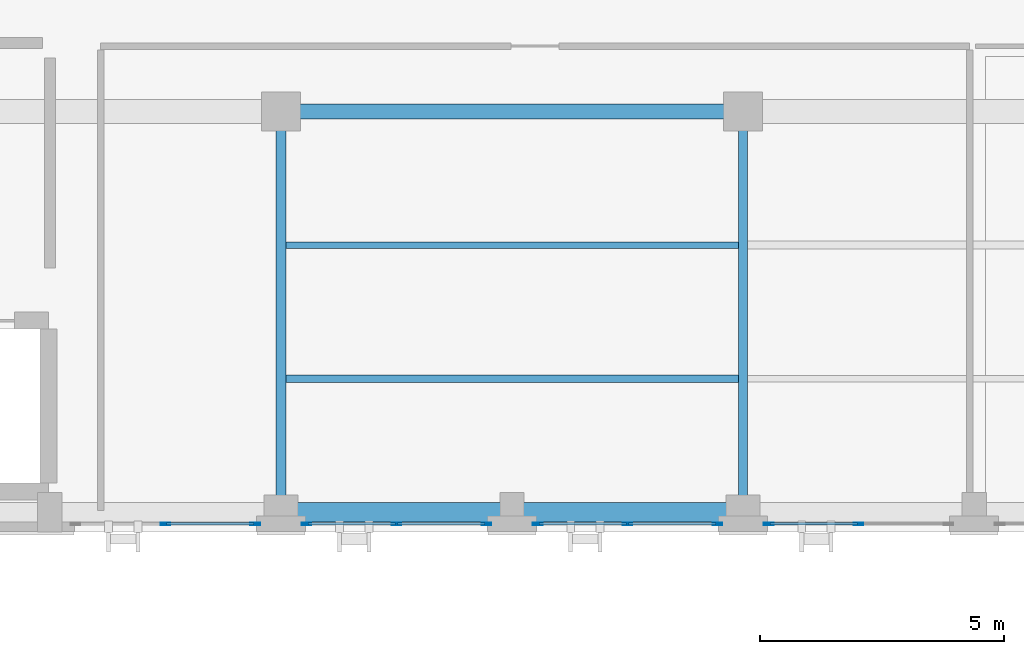
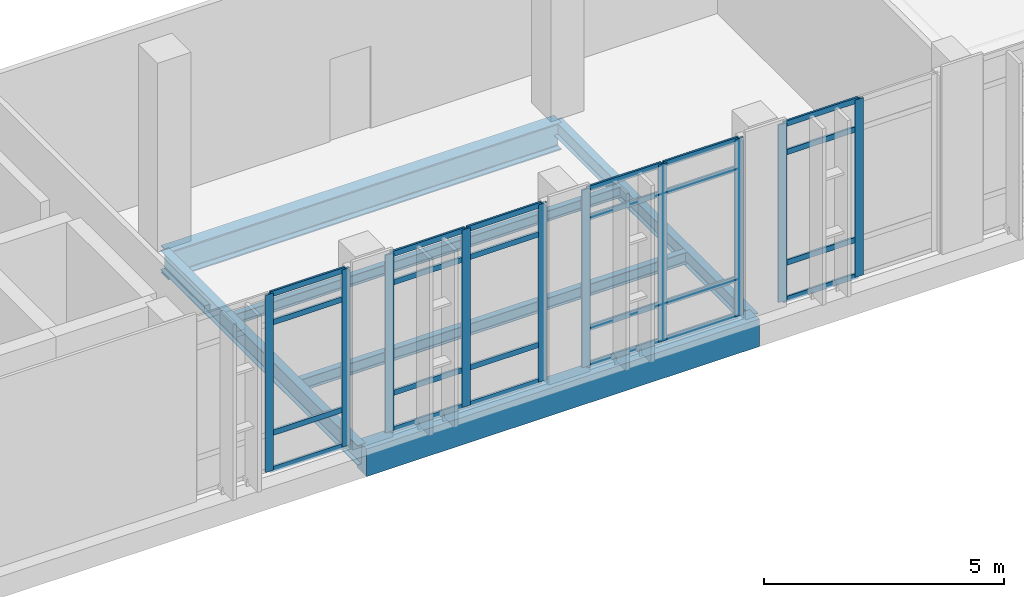
# One storey, part 12 of 189: 34 members, 6 beams, 4 elements without a shape of their own.
"""IFC4 building model written with IfcOpenShell, lengths in metres."""

from ifc_helpers import new_model, si_unit, direction, frame, origin, origin_2d, place, context, subcontext, project, spatial, rectangle, hollow_rectangle, i_section, extrude, material, layer, layer_set, material_profile, profile_set, type_object, element, aggregate, save


model = new_model("IFC4")

# Units and contexts
model_context = context("Model", 3, precision=1e-05, world=origin(), true_north=direction((0.0, 1.0)))
body_context = subcontext(model_context, "Body", "Model", "MODEL_VIEW")
ifc_project = project(units=[si_unit("LENGTHUNIT", "METRE"), si_unit("AREAUNIT", "SQUARE_METRE"), si_unit("VOLUMEUNIT", "CUBIC_METRE"), si_unit("PLANEANGLEUNIT", "RADIAN"), si_unit("MASSUNIT", "GRAM", prefix="KILO")], contexts=[model_context])

# Site, building, storey
site_placement = place(None, origin())
site = spatial("IfcSite", under=ifc_project, at=site_placement, CompositionType="ELEMENT")
building_placement = place(site_placement, origin())
building = spatial("IfcBuilding", under=site, at=building_placement, Name="Qalavern Law Courts", CompositionType="ELEMENT")
storey_placement = place(building_placement, frame((0.0, 0.0, 5.39990234375)))
storey = spatial("IfcBuildingStorey", under=building, at=storey_placement, Name="L01", CompositionType="ELEMENT", Elevation=5.39990234375)

# Curtain wall, members
ifc_material_1 = material(Name="Anodised aluminium and insulated glazing", Category="aluminium")
ifc_layer = layer(ifc_material_1, 0.18505859375)
ifc_layer_set = layer_set([ifc_layer], Name="Anodised aluminium and insulated glazing")
curtain_wall_type = type_object("IfcCurtainWallType", Name="ENV-CW-HALL", PredefinedType="USERDEFINED", material=ifc_layer_set)
curtain_wall_1_placement = place(storey_placement, origin())
curtain_wall_1 = element("IfcCurtainWall", 1, at=curtain_wall_1_placement, inside=storey, type_object=curtain_wall_type, Name="V2 unitised curtain wall L01 south 1", ObjectType="UNITISED CURTAIN WALL", PredefinedType="USERDEFINED")
ifc_material_2 = material(Name="Anodised aluminium", Category="aluminium")
ifc_material_profile_1 = material_profile(ifc_material_2, hollow_rectangle(XDim=0.048095703125, YDim=0.199951171875, WallThickness=0.00439453125, at=origin_2d()), Name="ALU MULLION 48x200")
ifc_profile_set_1 = profile_set([ifc_material_profile_1], Name="Anodised aluminium")
member_type_1 = type_object("IfcMemberType", Name="ENV-CWM-48x200", PredefinedType="MULLION", material=ifc_profile_set_1)
member_1_placement = place(storey_placement, frame((51.164794921875, 5.362548828125, 0.0), z_axis=(0.0, 0.0, 1.0), x_axis=(0.0, 1.0, 0.0)))
member_1 = element("IfcMember", 2, at=member_1_placement, type_object=member_type_1, Name="CW-02 mullion 2", PredefinedType="MULLION", context=body_context, shape_type="SweptSolid", body=[
    extrude(hollow_rectangle(XDim=0.048095703125, YDim=0.199951171875, WallThickness=0.00439453125, at=origin_2d()), origin(), (0.0, 0.0, 1.0), 4.510009765625),
])
member_2_placement = place(storey_placement, frame((53.004638671875, 5.362548828125, 0.0), z_axis=(0.0, 0.0, 1.0), x_axis=(0.0, 1.0, 0.0)))
member_2 = element("IfcMember", 3, at=member_2_placement, type_object=member_type_1, Name="CW-02 mullion 3", PredefinedType="MULLION", context=body_context, shape_type="SweptSolid", body=[
    extrude(hollow_rectangle(XDim=0.048095703125, YDim=0.199951171875, WallThickness=0.00439453125, at=origin_2d()), origin(), (0.0, 0.0, 1.0), 4.510009765625),
])

curtain_wall_2_placement = place(storey_placement, origin())
curtain_wall_2 = element("IfcCurtainWall", 4, at=curtain_wall_2_placement, inside=storey, type_object=curtain_wall_type, Name="V2 unitised curtain wall L01 south 2", ObjectType="UNITISED CURTAIN WALL", PredefinedType="USERDEFINED")
member_3_placement = place(storey_placement, frame((54.052490234375, 5.362548828125, 0.0), z_axis=(0.0, 0.0, 1.0), x_axis=(0.0, 1.0, 0.0)))
member_3 = element("IfcMember", 5, at=member_3_placement, type_object=member_type_1, Name="CW-02 mullion 1", PredefinedType="MULLION", context=body_context, shape_type="SweptSolid", body=[
    extrude(hollow_rectangle(XDim=0.048095703125, YDim=0.199951171875, WallThickness=0.00439453125, at=origin_2d()), origin(), (0.0, 0.0, 1.0), 4.510009765625),
])
member_4_placement = place(storey_placement, frame((55.892333984375, 5.362548828125, 0.0), z_axis=(0.0, 0.0, 1.0), x_axis=(0.0, 1.0, 0.0)))
member_4 = element("IfcMember", 6, at=member_4_placement, type_object=member_type_1, Name="CW-02 mullion 2", PredefinedType="MULLION", context=body_context, shape_type="SweptSolid", body=[
    extrude(hollow_rectangle(XDim=0.048095703125, YDim=0.199951171875, WallThickness=0.00439453125, at=origin_2d()), origin(), (0.0, 0.0, 1.0), 4.510009765625),
])
member_5_placement = place(storey_placement, frame((57.73193359375, 5.362548828125, 0.0), z_axis=(0.0, 0.0, 1.0), x_axis=(0.0, 1.0, 0.0)))
member_5 = element("IfcMember", 7, at=member_5_placement, type_object=member_type_1, Name="CW-02 mullion 3", PredefinedType="MULLION", context=body_context, shape_type="SweptSolid", body=[
    extrude(hollow_rectangle(XDim=0.048095703125, YDim=0.199951171875, WallThickness=0.00439453125, at=origin_2d()), origin(), (0.0, 0.0, 1.0), 4.510009765625),
])

curtain_wall_3_placement = place(storey_placement, origin())
curtain_wall_3 = element("IfcCurtainWall", 8, at=curtain_wall_3_placement, inside=storey, type_object=curtain_wall_type, Name="V2 unitised curtain wall L01 south 3", ObjectType="UNITISED CURTAIN WALL", PredefinedType="USERDEFINED")
member_6_placement = place(storey_placement, frame((58.780029296875, 5.362548828125, 0.0), z_axis=(0.0, 0.0, 1.0), x_axis=(0.0, 1.0, 0.0)))
member_6 = element("IfcMember", 9, at=member_6_placement, type_object=member_type_1, Name="CW-02 mullion 1", PredefinedType="MULLION", context=body_context, shape_type="SweptSolid", body=[
    extrude(hollow_rectangle(XDim=0.048095703125, YDim=0.199951171875, WallThickness=0.00439453125, at=origin_2d()), origin(), (0.0, 0.0, 1.0), 4.510009765625),
])
member_7_placement = place(storey_placement, frame((60.619384765625, 5.362548828125, 0.0), z_axis=(0.0, 0.0, 1.0), x_axis=(0.0, 1.0, 0.0)))
member_7 = element("IfcMember", 10, at=member_7_placement, type_object=member_type_1, Name="CW-02 mullion 2", PredefinedType="MULLION", context=body_context, shape_type="SweptSolid", body=[
    extrude(hollow_rectangle(XDim=0.048095703125, YDim=0.199951171875, WallThickness=0.00439453125, at=origin_2d()), origin(), (0.0, 0.0, 1.0), 4.510009765625),
])
member_8_placement = place(storey_placement, frame((62.458984375, 5.362548828125, 0.0), z_axis=(0.0, 0.0, 1.0), x_axis=(0.0, 1.0, 0.0)))
member_8 = element("IfcMember", 11, at=member_8_placement, type_object=member_type_1, Name="CW-02 mullion 3", PredefinedType="MULLION", context=body_context, shape_type="SweptSolid", body=[
    extrude(hollow_rectangle(XDim=0.048095703125, YDim=0.199951171875, WallThickness=0.00439453125, at=origin_2d()), origin(), (0.0, 0.0, 1.0), 4.510009765625),
])

curtain_wall_4_placement = place(storey_placement, origin())
curtain_wall_4 = element("IfcCurtainWall", 12, at=curtain_wall_4_placement, inside=storey, type_object=curtain_wall_type, Name="V2 unitised curtain wall L01 south 4", ObjectType="UNITISED CURTAIN WALL", PredefinedType="USERDEFINED")
member_9_placement = place(storey_placement, frame((63.5068359375, 5.362548828125, 0.0), z_axis=(0.0, 0.0, 1.0), x_axis=(0.0, 1.0, 0.0)))
member_9 = element("IfcMember", 13, at=member_9_placement, type_object=member_type_1, Name="CW-02 mullion 1", PredefinedType="MULLION", context=body_context, shape_type="SweptSolid", body=[
    extrude(hollow_rectangle(XDim=0.048095703125, YDim=0.199951171875, WallThickness=0.00439453125, at=origin_2d()), origin(), (0.0, 0.0, 1.0), 4.510009765625),
])
member_10_placement = place(storey_placement, frame((65.346435546875, 5.362548828125, 0.0), z_axis=(0.0, 0.0, 1.0), x_axis=(0.0, 1.0, 0.0)))
member_10 = element("IfcMember", 14, at=member_10_placement, type_object=member_type_1, Name="CW-02 mullion 2", PredefinedType="MULLION", context=body_context, shape_type="SweptSolid", body=[
    extrude(hollow_rectangle(XDim=0.048095703125, YDim=0.199951171875, WallThickness=0.00439453125, at=origin_2d()), origin(), (0.0, 0.0, 1.0), 4.510009765625),
])

# Member
ifc_material_profile_2 = material_profile(ifc_material_2, hollow_rectangle(XDim=0.048095703125, YDim=0.139892578125, WallThickness=0.00390625, at=origin_2d()), Name="ALU TRANSOM 48x140")
ifc_profile_set_2 = profile_set([ifc_material_profile_2], Name="Anodised aluminium")
member_type_2 = type_object("IfcMemberType", Name="ENV-CWT-48x140", PredefinedType="USERDEFINED", material=ifc_profile_set_2)
member_11_placement = place(storey_placement, frame((51.188720703125, 5.362548828125, 0.024169921875), z_axis=(1.0, 0.0, 0.0), x_axis=(0.0, 1.0, 0.0)))
member_11 = element("IfcMember", 15, at=member_11_placement, type_object=member_type_2, Name="CW-02 transom 2.1", ObjectType="TRANSOM", PredefinedType="USERDEFINED", context=body_context, shape_type="SweptSolid", body=[
    extrude(hollow_rectangle(XDim=0.048095703125, YDim=0.139892578125, WallThickness=0.00390625, at=origin_2d()), origin(), (0.0, 0.0, 1.0), 1.7919921875),
])

member_12_placement = place(storey_placement, frame((51.188720703125, 5.362548828125, 0.9501953125), z_axis=(1.0, 0.0, 0.0), x_axis=(0.0, 1.0, 0.0)))
member_12 = element("IfcMember", 16, at=member_12_placement, type_object=member_type_2, Name="CW-02 transom 2.2", ObjectType="TRANSOM", PredefinedType="USERDEFINED", context=body_context, shape_type="SweptSolid", body=[
    extrude(hollow_rectangle(XDim=0.048095703125, YDim=0.139892578125, WallThickness=0.00390625, at=origin_2d()), origin(), (0.0, 0.0, 1.0), 1.7919921875),
])

member_13_placement = place(storey_placement, frame((51.188720703125, 5.362548828125, 3.760009765625), z_axis=(1.0, 0.0, 0.0), x_axis=(0.0, 1.0, 0.0)))
member_13 = element("IfcMember", 17, at=member_13_placement, type_object=member_type_2, Name="CW-02 transom 2.3", ObjectType="TRANSOM", PredefinedType="USERDEFINED", context=body_context, shape_type="SweptSolid", body=[
    extrude(hollow_rectangle(XDim=0.048095703125, YDim=0.139892578125, WallThickness=0.00390625, at=origin_2d()), origin(), (0.0, 0.0, 1.0), 1.7919921875),
])

member_14_placement = place(storey_placement, frame((51.188720703125, 5.362548828125, 4.486083984375), z_axis=(1.0, 0.0, 0.0), x_axis=(0.0, 1.0, 0.0)))
member_14 = element("IfcMember", 18, at=member_14_placement, type_object=member_type_2, Name="CW-02 transom 2.4", ObjectType="TRANSOM", PredefinedType="USERDEFINED", context=body_context, shape_type="SweptSolid", body=[
    extrude(hollow_rectangle(XDim=0.048095703125, YDim=0.139892578125, WallThickness=0.00390625, at=origin_2d()), origin(), (0.0, 0.0, 1.0), 1.7919921875),
])

aggregate(curtain_wall_1, [member_1, member_2, member_11, member_12, member_13, member_14])

member_15_placement = place(storey_placement, frame((54.07666015625, 5.362548828125, 0.024169921875), z_axis=(1.0, 0.0, 0.0), x_axis=(0.0, 1.0, 0.0)))
member_15 = element("IfcMember", 19, at=member_15_placement, type_object=member_type_2, Name="CW-02 transom 1.1", ObjectType="TRANSOM", PredefinedType="USERDEFINED", context=body_context, shape_type="SweptSolid", body=[
    extrude(hollow_rectangle(XDim=0.048095703125, YDim=0.139892578125, WallThickness=0.00390625, at=origin_2d()), origin(), (0.0, 0.0, 1.0), 1.791748046875),
])

member_16_placement = place(storey_placement, frame((54.07666015625, 5.362548828125, 0.9501953125), z_axis=(1.0, 0.0, 0.0), x_axis=(0.0, 1.0, 0.0)))
member_16 = element("IfcMember", 20, at=member_16_placement, type_object=member_type_2, Name="CW-02 transom 1.2", ObjectType="TRANSOM", PredefinedType="USERDEFINED", context=body_context, shape_type="SweptSolid", body=[
    extrude(hollow_rectangle(XDim=0.048095703125, YDim=0.139892578125, WallThickness=0.00390625, at=origin_2d()), origin(), (0.0, 0.0, 1.0), 1.791748046875),
])

member_17_placement = place(storey_placement, frame((54.07666015625, 5.362548828125, 3.760009765625), z_axis=(1.0, 0.0, 0.0), x_axis=(0.0, 1.0, 0.0)))
member_17 = element("IfcMember", 21, at=member_17_placement, type_object=member_type_2, Name="CW-02 transom 1.3", ObjectType="TRANSOM", PredefinedType="USERDEFINED", context=body_context, shape_type="SweptSolid", body=[
    extrude(hollow_rectangle(XDim=0.048095703125, YDim=0.139892578125, WallThickness=0.00390625, at=origin_2d()), origin(), (0.0, 0.0, 1.0), 1.791748046875),
])

member_18_placement = place(storey_placement, frame((54.07666015625, 5.362548828125, 4.486083984375), z_axis=(1.0, 0.0, 0.0), x_axis=(0.0, 1.0, 0.0)))
member_18 = element("IfcMember", 22, at=member_18_placement, type_object=member_type_2, Name="CW-02 transom 1.4", ObjectType="TRANSOM", PredefinedType="USERDEFINED", context=body_context, shape_type="SweptSolid", body=[
    extrude(hollow_rectangle(XDim=0.048095703125, YDim=0.139892578125, WallThickness=0.00390625, at=origin_2d()), origin(), (0.0, 0.0, 1.0), 1.791748046875),
])

member_19_placement = place(storey_placement, frame((55.916259765625, 5.362548828125, 0.024169921875), z_axis=(1.0, 0.0, 0.0), x_axis=(0.0, 1.0, 0.0)))
member_19 = element("IfcMember", 23, at=member_19_placement, type_object=member_type_2, Name="CW-02 transom 2.1", ObjectType="TRANSOM", PredefinedType="USERDEFINED", context=body_context, shape_type="SweptSolid", body=[
    extrude(hollow_rectangle(XDim=0.048095703125, YDim=0.139892578125, WallThickness=0.00390625, at=origin_2d()), origin(), (0.0, 0.0, 1.0), 1.791748046875),
])

member_20_placement = place(storey_placement, frame((55.916259765625, 5.362548828125, 0.9501953125), z_axis=(1.0, 0.0, 0.0), x_axis=(0.0, 1.0, 0.0)))
member_20 = element("IfcMember", 24, at=member_20_placement, type_object=member_type_2, Name="CW-02 transom 2.2", ObjectType="TRANSOM", PredefinedType="USERDEFINED", context=body_context, shape_type="SweptSolid", body=[
    extrude(hollow_rectangle(XDim=0.048095703125, YDim=0.139892578125, WallThickness=0.00390625, at=origin_2d()), origin(), (0.0, 0.0, 1.0), 1.791748046875),
])

member_21_placement = place(storey_placement, frame((55.916259765625, 5.362548828125, 3.760009765625), z_axis=(1.0, 0.0, 0.0), x_axis=(0.0, 1.0, 0.0)))
member_21 = element("IfcMember", 25, at=member_21_placement, type_object=member_type_2, Name="CW-02 transom 2.3", ObjectType="TRANSOM", PredefinedType="USERDEFINED", context=body_context, shape_type="SweptSolid", body=[
    extrude(hollow_rectangle(XDim=0.048095703125, YDim=0.139892578125, WallThickness=0.00390625, at=origin_2d()), origin(), (0.0, 0.0, 1.0), 1.791748046875),
])

member_22_placement = place(storey_placement, frame((55.916259765625, 5.362548828125, 4.486083984375), z_axis=(1.0, 0.0, 0.0), x_axis=(0.0, 1.0, 0.0)))
member_22 = element("IfcMember", 26, at=member_22_placement, type_object=member_type_2, Name="CW-02 transom 2.4", ObjectType="TRANSOM", PredefinedType="USERDEFINED", context=body_context, shape_type="SweptSolid", body=[
    extrude(hollow_rectangle(XDim=0.048095703125, YDim=0.139892578125, WallThickness=0.00390625, at=origin_2d()), origin(), (0.0, 0.0, 1.0), 1.791748046875),
])

aggregate(curtain_wall_2, [member_3, member_4, member_5, member_15, member_16, member_17, member_18, member_19, member_20, member_21, member_22])

member_23_placement = place(storey_placement, frame((58.803955078125, 5.362548828125, 0.024169921875), z_axis=(1.0, 0.0, 0.0), x_axis=(0.0, 1.0, 0.0)))
member_23 = element("IfcMember", 27, at=member_23_placement, type_object=member_type_2, Name="CW-02 transom 1.1", ObjectType="TRANSOM", PredefinedType="USERDEFINED", context=body_context, shape_type="SweptSolid", body=[
    extrude(hollow_rectangle(XDim=0.048095703125, YDim=0.139892578125, WallThickness=0.00390625, at=origin_2d()), origin(), (0.0, 0.0, 1.0), 1.79150390625),
])

member_24_placement = place(storey_placement, frame((58.803955078125, 5.362548828125, 0.9501953125), z_axis=(1.0, 0.0, 0.0), x_axis=(0.0, 1.0, 0.0)))
member_24 = element("IfcMember", 28, at=member_24_placement, type_object=member_type_2, Name="CW-02 transom 1.2", ObjectType="TRANSOM", PredefinedType="USERDEFINED", context=body_context, shape_type="SweptSolid", body=[
    extrude(hollow_rectangle(XDim=0.048095703125, YDim=0.139892578125, WallThickness=0.00390625, at=origin_2d()), origin(), (0.0, 0.0, 1.0), 1.79150390625),
])

member_25_placement = place(storey_placement, frame((58.803955078125, 5.362548828125, 3.760009765625), z_axis=(1.0, 0.0, 0.0), x_axis=(0.0, 1.0, 0.0)))
member_25 = element("IfcMember", 29, at=member_25_placement, type_object=member_type_2, Name="CW-02 transom 1.3", ObjectType="TRANSOM", PredefinedType="USERDEFINED", context=body_context, shape_type="SweptSolid", body=[
    extrude(hollow_rectangle(XDim=0.048095703125, YDim=0.139892578125, WallThickness=0.00390625, at=origin_2d()), origin(), (0.0, 0.0, 1.0), 1.79150390625),
])

member_26_placement = place(storey_placement, frame((58.803955078125, 5.362548828125, 4.486083984375), z_axis=(1.0, 0.0, 0.0), x_axis=(0.0, 1.0, 0.0)))
member_26 = element("IfcMember", 30, at=member_26_placement, type_object=member_type_2, Name="CW-02 transom 1.4", ObjectType="TRANSOM", PredefinedType="USERDEFINED", context=body_context, shape_type="SweptSolid", body=[
    extrude(hollow_rectangle(XDim=0.048095703125, YDim=0.139892578125, WallThickness=0.00390625, at=origin_2d()), origin(), (0.0, 0.0, 1.0), 1.79150390625),
])

member_27_placement = place(storey_placement, frame((60.6435546875, 5.362548828125, 0.024169921875), z_axis=(1.0, 0.0, 0.0), x_axis=(0.0, 1.0, 0.0)))
member_27 = element("IfcMember", 31, at=member_27_placement, type_object=member_type_2, Name="CW-02 transom 2.1", ObjectType="TRANSOM", PredefinedType="USERDEFINED", context=body_context, shape_type="SweptSolid", body=[
    extrude(hollow_rectangle(XDim=0.048095703125, YDim=0.139892578125, WallThickness=0.00390625, at=origin_2d()), origin(), (0.0, 0.0, 1.0), 1.791259765625),
])

member_28_placement = place(storey_placement, frame((60.6435546875, 5.362548828125, 0.9501953125), z_axis=(1.0, 0.0, 0.0), x_axis=(0.0, 1.0, 0.0)))
member_28 = element("IfcMember", 32, at=member_28_placement, type_object=member_type_2, Name="CW-02 transom 2.2", ObjectType="TRANSOM", PredefinedType="USERDEFINED", context=body_context, shape_type="SweptSolid", body=[
    extrude(hollow_rectangle(XDim=0.048095703125, YDim=0.139892578125, WallThickness=0.00390625, at=origin_2d()), origin(), (0.0, 0.0, 1.0), 1.791259765625),
])

member_29_placement = place(storey_placement, frame((60.6435546875, 5.362548828125, 3.760009765625), z_axis=(1.0, 0.0, 0.0), x_axis=(0.0, 1.0, 0.0)))
member_29 = element("IfcMember", 33, at=member_29_placement, type_object=member_type_2, Name="CW-02 transom 2.3", ObjectType="TRANSOM", PredefinedType="USERDEFINED", context=body_context, shape_type="SweptSolid", body=[
    extrude(hollow_rectangle(XDim=0.048095703125, YDim=0.139892578125, WallThickness=0.00390625, at=origin_2d()), origin(), (0.0, 0.0, 1.0), 1.791259765625),
])

member_30_placement = place(storey_placement, frame((60.6435546875, 5.362548828125, 4.486083984375), z_axis=(1.0, 0.0, 0.0), x_axis=(0.0, 1.0, 0.0)))
member_30 = element("IfcMember", 34, at=member_30_placement, type_object=member_type_2, Name="CW-02 transom 2.4", ObjectType="TRANSOM", PredefinedType="USERDEFINED", context=body_context, shape_type="SweptSolid", body=[
    extrude(hollow_rectangle(XDim=0.048095703125, YDim=0.139892578125, WallThickness=0.00390625, at=origin_2d()), origin(), (0.0, 0.0, 1.0), 1.791259765625),
])

aggregate(curtain_wall_3, [member_6, member_7, member_8, member_23, member_24, member_25, member_26, member_27, member_28, member_29, member_30])

member_31_placement = place(storey_placement, frame((63.531005859375, 5.362548828125, 0.024169921875), z_axis=(1.0, 0.0, 0.0), x_axis=(0.0, 1.0, 0.0)))
member_31 = element("IfcMember", 35, at=member_31_placement, type_object=member_type_2, Name="CW-02 transom 1.1", ObjectType="TRANSOM", PredefinedType="USERDEFINED", context=body_context, shape_type="SweptSolid", body=[
    extrude(hollow_rectangle(XDim=0.048095703125, YDim=0.139892578125, WallThickness=0.00390625, at=origin_2d()), origin(), (0.0, 0.0, 1.0), 1.79150390625),
])

member_32_placement = place(storey_placement, frame((63.531005859375, 5.362548828125, 0.9501953125), z_axis=(1.0, 0.0, 0.0), x_axis=(0.0, 1.0, 0.0)))
member_32 = element("IfcMember", 36, at=member_32_placement, type_object=member_type_2, Name="CW-02 transom 1.2", ObjectType="TRANSOM", PredefinedType="USERDEFINED", context=body_context, shape_type="SweptSolid", body=[
    extrude(hollow_rectangle(XDim=0.048095703125, YDim=0.139892578125, WallThickness=0.00390625, at=origin_2d()), origin(), (0.0, 0.0, 1.0), 1.79150390625),
])

member_33_placement = place(storey_placement, frame((63.531005859375, 5.362548828125, 3.760009765625), z_axis=(1.0, 0.0, 0.0), x_axis=(0.0, 1.0, 0.0)))
member_33 = element("IfcMember", 37, at=member_33_placement, type_object=member_type_2, Name="CW-02 transom 1.3", ObjectType="TRANSOM", PredefinedType="USERDEFINED", context=body_context, shape_type="SweptSolid", body=[
    extrude(hollow_rectangle(XDim=0.048095703125, YDim=0.139892578125, WallThickness=0.00390625, at=origin_2d()), origin(), (0.0, 0.0, 1.0), 1.79150390625),
])

member_34_placement = place(storey_placement, frame((63.531005859375, 5.362548828125, 4.486083984375), z_axis=(1.0, 0.0, 0.0), x_axis=(0.0, 1.0, 0.0)))
member_34 = element("IfcMember", 38, at=member_34_placement, type_object=member_type_2, Name="CW-02 transom 1.4", ObjectType="TRANSOM", PredefinedType="USERDEFINED", context=body_context, shape_type="SweptSolid", body=[
    extrude(hollow_rectangle(XDim=0.048095703125, YDim=0.139892578125, WallThickness=0.00390625, at=origin_2d()), origin(), (0.0, 0.0, 1.0), 1.79150390625),
])

aggregate(curtain_wall_4, [member_9, member_10, member_31, member_32, member_33, member_34])

# Beams
ifc_material_3 = material(Name="Steel S355", Category="steel")
ifc_material_profile_3 = material_profile(ifc_material_3, i_section(OverallWidth=0.300048828125, OverallDepth=0.699951171875, WebThickness=0.01708984375, FlangeThickness=0.031982421875, FilletRadius=0.027099609375, at=origin_2d()), Name="HEB 700")
ifc_profile_set_3 = profile_set([ifc_material_profile_3], Name="Steel S355")
beam_type_1 = type_object("IfcBeamType", Name="STR-BM-HEB700", PredefinedType="BEAM", material=ifc_profile_set_3)
beam_1_placement = place(storey_placement, frame((53.528564453125, 13.800048828125, -0.64990234375), z_axis=(1.0, 0.0, 0.0), x_axis=(0.0, 1.0, 0.0)))
element("IfcBeam", 39, at=beam_1_placement, inside=storey, type_object=beam_type_1, Name="V2 X-beam 2-3 L01", PredefinedType="BEAM", context=body_context, shape_type="SweptSolid", body=[
    extrude(i_section(OverallWidth=0.300048828125, OverallDepth=0.699951171875, WebThickness=0.01708984375, FlangeThickness=0.031982421875, FilletRadius=0.027099609375, at=origin_2d()), origin(), (0.0, 0.0, 1.0), 9.454345703125),
])
ifc_material_profile_4 = material_profile(ifc_material_3, i_section(OverallWidth=0.179931640625, OverallDepth=0.39990234375, WebThickness=0.008544921875, FlangeThickness=0.013427734375, FilletRadius=0.02099609375, at=origin_2d()), Name="IPE 400")
ifc_profile_set_4 = profile_set([ifc_material_profile_4], Name="Steel S355")
beam_type_2 = type_object("IfcBeamType", Name="STR-BM-IPE400", PredefinedType="BEAM", material=ifc_profile_set_4)
beam_2_placement = place(storey_placement, frame((62.98291015625, 5.60009765625, -0.5), z_axis=(0.0, 1.0, 0.0), x_axis=(-1.0, 0.0, 0.0)))
element("IfcBeam", 40, at=beam_2_placement, inside=storey, type_object=beam_type_2, Name="V2 Y-beam 4-1 L01", PredefinedType="BEAM", context=body_context, shape_type="SweptSolid", body=[
    extrude(i_section(OverallWidth=0.179931640625, OverallDepth=0.39990234375, WebThickness=0.008544921875, FlangeThickness=0.013427734375, FilletRadius=0.02099609375, at=origin_2d()), origin(), (0.0, 0.0, 1.0), 8.199951171875),
])
ifc_material_profile_5 = material_profile(ifc_material_3, i_section(OverallWidth=0.199951171875, OverallDepth=0.5, WebThickness=0.01025390625, FlangeThickness=0.01611328125, FilletRadius=0.02099609375, at=origin_2d()), Name="IPE 500")
ifc_profile_set_5 = profile_set([ifc_material_profile_5], Name="Steel S355")
beam_type_3 = type_object("IfcBeamType", Name="STR-BM-IPE500", PredefinedType="BEAM", material=ifc_profile_set_5)
beam_3_placement = place(storey_placement, frame((53.528564453125, 5.60009765625, -0.5498046875), z_axis=(0.0, 1.0, 0.0), x_axis=(-1.0, 0.0, 0.0)))
element("IfcBeam", 41, at=beam_3_placement, inside=storey, type_object=beam_type_3, Name="V2 Y-beam 3-1 L01", PredefinedType="BEAM", context=body_context, shape_type="SweptSolid", body=[
    extrude(i_section(OverallWidth=0.199951171875, OverallDepth=0.5, WebThickness=0.01025390625, FlangeThickness=0.01611328125, FilletRadius=0.02099609375, at=origin_2d()), origin(), (0.0, 0.0, 1.0), 8.199951171875),
])
ifc_material_profile_6 = material_profile(ifc_material_3, i_section(OverallWidth=0.135009765625, OverallDepth=0.27001953125, WebThickness=0.006591796875, FlangeThickness=0.01025390625, FilletRadius=0.014892578125, at=origin_2d()), Name="IPE 270")
ifc_profile_set_6 = profile_set([ifc_material_profile_6], Name="Steel S355")
beam_type_4 = type_object("IfcBeamType", Name="STR-JST-IPE270", PredefinedType="JOIST", material=ifc_profile_set_6)
beam_4_placement = place(storey_placement, frame((53.626708984375, 11.066650390625, -0.434814453125), z_axis=(1.0, 0.0, 0.0), x_axis=(0.0, 1.0, 0.0)))
element("IfcBeam", 42, at=beam_4_placement, inside=storey, type_object=beam_type_4, Name="V2 secondary joist 3.1.2 L01", PredefinedType="JOIST", context=body_context, shape_type="SweptSolid", body=[
    extrude(i_section(OverallWidth=0.135009765625, OverallDepth=0.27001953125, WebThickness=0.006591796875, FlangeThickness=0.01025390625, FilletRadius=0.014892578125, at=origin_2d()), origin(), (0.0, 0.0, 1.0), 9.268310546875),
])
ifc_material_profile_7 = material_profile(ifc_material_3, i_section(OverallWidth=0.14990234375, OverallDepth=0.300048828125, WebThickness=0.007080078125, FlangeThickness=0.0107421875, FilletRadius=0.014892578125, at=origin_2d()), Name="IPE 300")
ifc_profile_set_7 = profile_set([ifc_material_profile_7], Name="Steel S355")
beam_type_5 = type_object("IfcBeamType", Name="STR-JST-IPE300", PredefinedType="JOIST", material=ifc_profile_set_7)
beam_5_placement = place(storey_placement, frame((53.626708984375, 8.333251953125, -0.449951171875), z_axis=(1.0, 0.0, 0.0), x_axis=(0.0, 1.0, 0.0)))
element("IfcBeam", 43, at=beam_5_placement, inside=storey, type_object=beam_type_5, Name="V2 secondary joist 3.1.1 L01", PredefinedType="JOIST", context=body_context, shape_type="SweptSolid", body=[
    extrude(i_section(OverallWidth=0.14990234375, OverallDepth=0.300048828125, WebThickness=0.007080078125, FlangeThickness=0.0107421875, FilletRadius=0.014892578125, at=origin_2d()), origin(), (0.0, 0.0, 1.0), 9.268310546875),
])
ifc_material_4 = material(Name="Concrete C40/50", Category="concrete")
ifc_material_profile_8 = material_profile(ifc_material_4, rectangle(XDim=0.39990234375, YDim=0.699951171875, at=origin_2d()), Name="RC 400x700")
ifc_profile_set_8 = profile_set([ifc_material_profile_8], Name="Concrete C40/50")
beam_type_6 = type_object("IfcBeamType", Name="STR-SP-RC400x700", PredefinedType="SPANDREL", material=ifc_profile_set_8)
beam_6_placement = place(storey_placement, frame((53.528564453125, 5.60009765625, -0.64990234375), z_axis=(1.0, 0.0, 0.0), x_axis=(0.0, 1.0, 0.0)))
element("IfcBeam", 44, at=beam_6_placement, inside=storey, type_object=beam_type_6, Name="V2 X-beam 1-3 L01", PredefinedType="SPANDREL", context=body_context, shape_type="SweptSolid", body=[
    extrude(rectangle(XDim=0.39990234375, YDim=0.699951171875, at=origin_2d()), origin(), (0.0, 0.0, 1.0), 9.454345703125),
])

save(model, "model.ifc")
